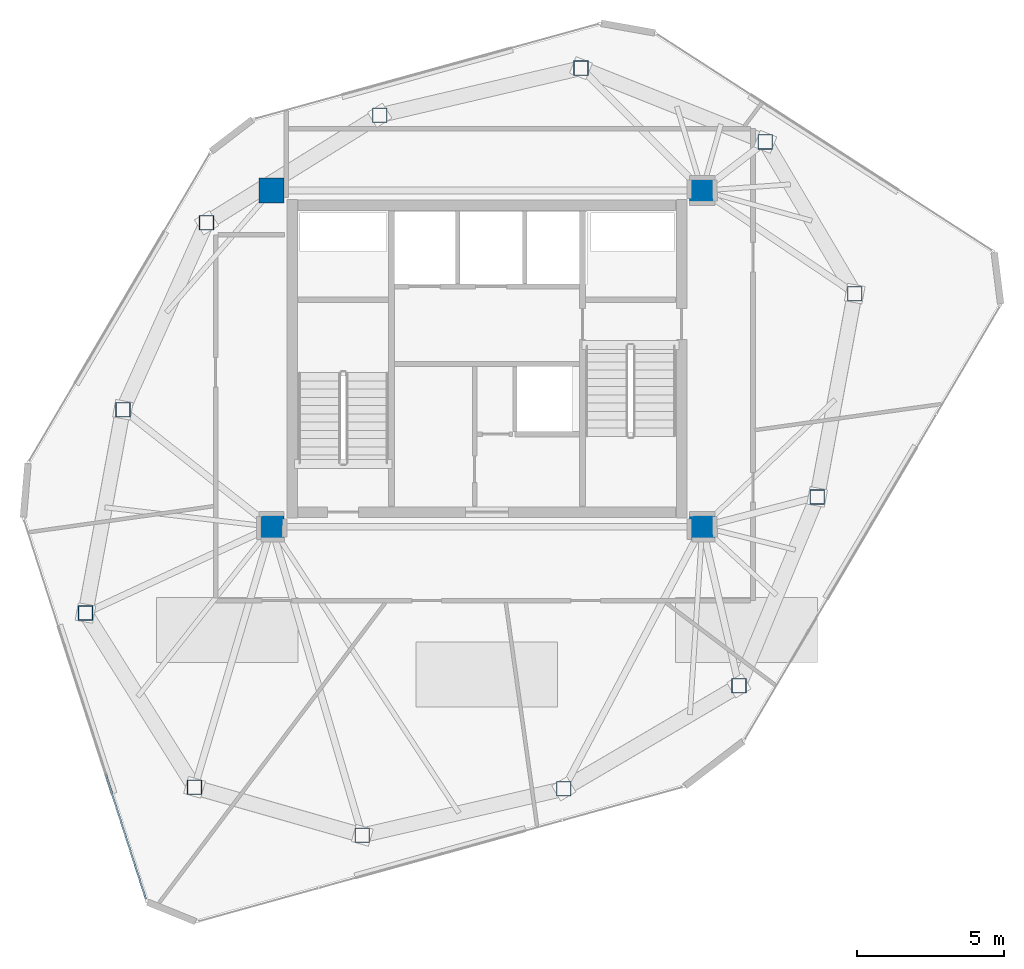
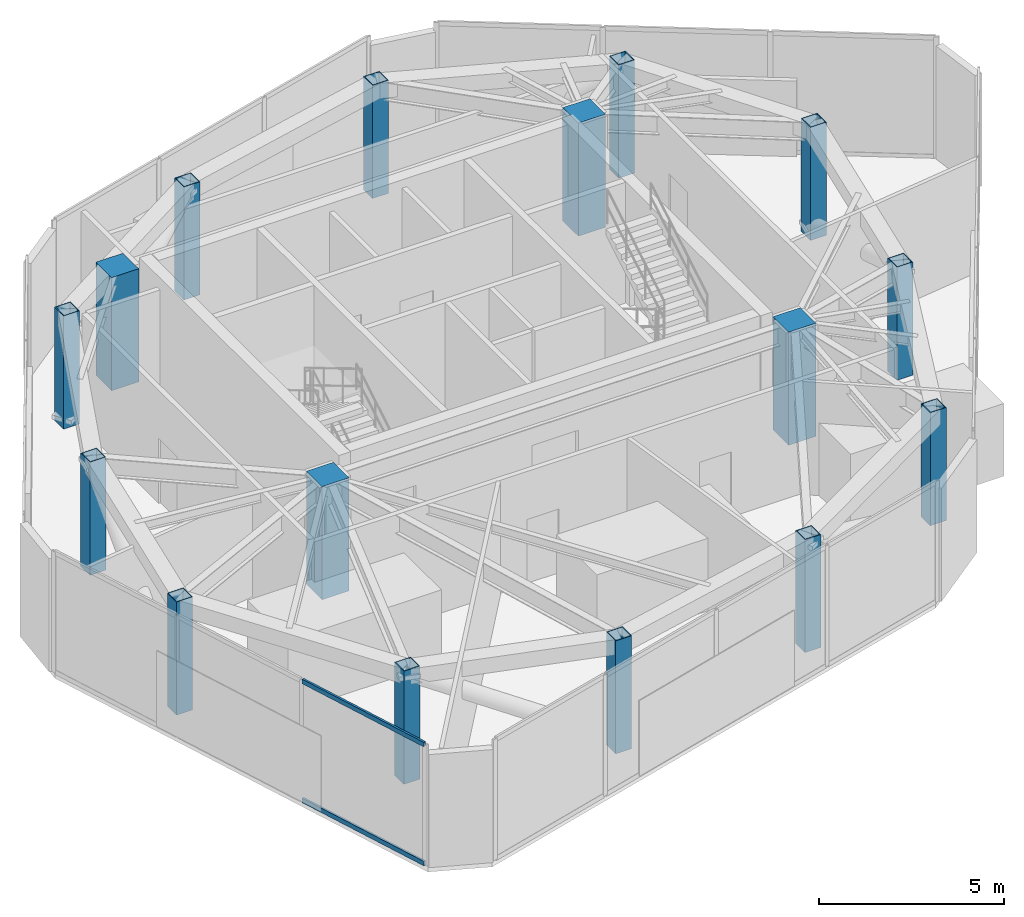
# One storey, part 1 of 19: 16 columns, 2 members, 1 element without a shape of its own.
"""IFC4 building model written with IfcOpenShell, lengths in metres."""

from ifc_helpers import new_model, si_unit, direction, frame, origin, origin_2d, place, context, subcontext, project, spatial, rectangle, hollow_rectangle, extrude, source, transform, mapped, material, layer, layer_set, material_profile, profile_set, type_object, type_shapes, element, aggregate, save


model = new_model("IFC4")

# Units and contexts
model_context = context("Model", 3, precision=1e-05, world=origin(), true_north=direction((0.0, 1.0)))
body_context = subcontext(model_context, "Body", "Model", "MODEL_VIEW")
ifc_project = project(units=[si_unit("LENGTHUNIT", "METRE"), si_unit("AREAUNIT", "SQUARE_METRE"), si_unit("VOLUMEUNIT", "CUBIC_METRE"), si_unit("PLANEANGLEUNIT", "RADIAN"), si_unit("MASSUNIT", "GRAM", prefix="KILO")], contexts=[model_context])

# Site, building, storey
site_placement = place(None, origin())
site = spatial("IfcSite", under=ifc_project, at=site_placement, CompositionType="ELEMENT")
building_placement = place(site_placement, origin())
building = spatial("IfcBuilding", under=site, at=building_placement, Name="Talar Marvaseh", CompositionType="ELEMENT")
storey_placement = place(building_placement, frame((0.0, 0.0, 296.0)))
storey = spatial("IfcBuildingStorey", under=building, at=storey_placement, Name="L79", CompositionType="ELEMENT", Elevation=296.0)

# Columns
ifc_material_1 = material(Name="Steel S460", Category="steel")
ifc_material_profile_1 = material_profile(ifc_material_1, hollow_rectangle(XDim=0.5, YDim=0.5, WallThickness=0.02490234375, at=origin_2d()), Name="BOX500x500x25")
ifc_profile_set_1 = profile_set([ifc_material_profile_1], Name="Steel S460")
column_type_1 = type_object("IfcColumnType", Name="Crown Frame Structural Column BOX500x500x25", PredefinedType="COLUMN", material=ifc_profile_set_1)
for number, where, z_axis, x_axis, name in (
    (1, (12.388916015625, 22.576904296875, 0.0), (0.0, 0.0, 1.0), (1.0, 0.0, 0.0), "L79 Crown Frame Structural Column BOX500x500x25"),
    (2, (13.657958984375, 29.469970703125, 0.0), (0.0, 0.0, 1.0), (1.0, 0.0, 0.0), "L79 Crown Frame Structural Column BOX500x500x25"),
    (3, (16.493896484375, 35.806884765625, 0.0), (0.0, 0.0, 1.0), (1.0, 0.0, 0.0), "L79 Crown Frame Structural Column BOX500x500x25"),
    (4, (22.364990234375, 39.4541015625, 0.0), (0.0, 0.0, 1.0), (1.0, 0.0, 0.0), "L79 Crown Frame Structural Column BOX500x500x25"),
    (5, (29.18798828125, 41.052001953125, 0.0), (0.0, 0.0, 1.0), (1.0, 0.0, 0.0), "L79 Crown Frame Structural Column BOX500x500x25"),
    (6, (35.43798828125, 38.551025390625, 0.0), (0.0, 0.0, 1.0), (1.0, 0.0, 0.0), "L79 Crown Frame Structural Column BOX500x500x25"),
    (7, (38.470947265625, 33.406005859375, 0.0), (0.0, 0.0, 1.0), (1.0, 0.0, 0.0), "L79 Crown Frame Structural Column BOX500x500x25"),
    (8, (37.197021484375, 26.513916015625, 0.0), (0.0, 0.0, 1.0), (1.0, 0.0, 0.0), "L79 Crown Frame Structural Column BOX500x500x25"),
    (9, (34.5439453125, 20.111083984375, 0.0), (0.0, 0.0, 1.0), (1.0, 0.0, 0.0), "L79 Crown Frame Structural Column BOX500x500x25"),
    (10, (28.60498046875, 16.616943359375, 0.0), (0.0, 0.0, 1.0), (1.0, 0.0, 0.0), "L79 Crown Frame Structural Column BOX500x500x25"),
    (11, (21.77587890625, 15.0400390625, 0.0), (0.0, 0.0, 1.0), (1.0, 0.0, 0.0), "L79 Crown Frame Structural Column BOX500x500x25"),
    (12, (16.0869140625, 16.66796875, 0.0), (0.0, 0.0, 1.0), (1.0, 0.0, 0.0), "L79 Crown Frame Structural Column BOX500x500x25"),
):
    element("IfcColumn", number, at=place(storey_placement, frame(where, z_axis=z_axis, x_axis=x_axis)), inside=storey, type_object=column_type_1, Name=name, PredefinedType="COLUMN", context=body_context, shape_type="SweptSolid", body=[
        extrude(hollow_rectangle(XDim=0.5, YDim=0.5, WallThickness=0.02490234375, at=origin_2d()), origin(), (0.0, 0.0, 1.0), 3.739990234375),
    ])
ifc_material_2 = material(Name="Concrete C50/60", Category="concrete")
ifc_material_profile_2 = material_profile(ifc_material_2, rectangle(XDim=0.85009765625, YDim=0.85009765625, at=origin_2d()), Name="RC850x850")
ifc_profile_set_2 = profile_set([ifc_material_profile_2], Name="Concrete C50/60")
column_type_2 = type_object("IfcColumnType", Name="Zone 4 Tube Column RC850x850", PredefinedType="COLUMN", material=ifc_profile_set_2)
for number, where, z_axis, x_axis, name in (
    (13, (18.699951171875, 25.5, 0.0), (0.0, 0.0, 1.0), (1.0, 0.0, 0.0), "L79 Zone 4 Tube Column RC850x850"),
    (14, (33.300048828125, 25.5, 0.0), (0.0, 0.0, 1.0), (1.0, 0.0, 0.0), "L79 Zone 4 Tube Column RC850x850"),
    (15, (33.300048828125, 36.89990234375, 0.0), (0.0, 0.0, 1.0), (1.0, 0.0, 0.0), "L79 Zone 4 Tube Column RC850x850"),
    (16, (18.699951171875, 36.89990234375, 0.0), (0.0, 0.0, 1.0), (1.0, 0.0, 0.0), "L79 Zone 4 Tube Column RC850x850"),
):
    element("IfcColumn", number, at=place(storey_placement, frame(where, z_axis=z_axis, x_axis=x_axis)), inside=storey, type_object=column_type_2, Name=name, PredefinedType="COLUMN", context=body_context, shape_type="SweptSolid", body=[
        extrude(rectangle(XDim=0.85009765625, YDim=0.85009765625, at=origin_2d()), origin(), (0.0, 0.0, 1.0), 3.739990234375),
    ])

# Curtain wall, members
ifc_material_3 = material(Name="Architectural Aluminium", Category="aluminium")
ifc_layer = layer(ifc_material_3, 0.2099609375)
ifc_layer_set = layer_set([ifc_layer], Name="Architectural Aluminium")
curtain_wall_type = type_object("IfcCurtainWallType", Name="Crown Plant Acoustic Spandrel Curtain Wall", PredefinedType="NOTDEFINED", material=ifc_layer_set)
curtain_wall_placement = place(storey_placement, origin())
curtain_wall = element("IfcCurtainWall", 17, at=curtain_wall_placement, inside=storey, type_object=curtain_wall_type, Name="L79 Crown Plant Acoustic Spandrel Curtain Wall", PredefinedType="NOTDEFINED")
ifc_material_profile_3 = material_profile(ifc_material_3, hollow_rectangle(XDim=0.06494140625, YDim=0.14990234375, WallThickness=0.00390625, at=origin_2d()), Name="RHS150x65x4")
ifc_profile_set_3 = profile_set([ifc_material_profile_3], Name="Architectural Aluminium")
member_type = type_object("IfcMemberType", Name="Unitised Curtain Wall Slim Transom RHS150x65x4", PredefinedType="USERDEFINED", material=ifc_profile_set_3)
shared_shape = source(origin(), body_context, "Body", "SweptSolid", [
    extrude(hollow_rectangle(XDim=0.06494140625, YDim=0.14990234375, WallThickness=0.00390625, at=origin_2d()), origin(), (0.0, 0.0, 1.0), 4.447265625),
])
type_shapes(member_type, [shared_shape])
member_1_placement = place(storey_placement, frame((14.44287109375, 12.8720703125, 0.032470703125), z_axis=(-0.306428516779, 0.951893672689, 0.0), x_axis=(-0.951893672689, -0.306428516779, 0.0)))
member_1 = element("IfcMember", 18, at=member_1_placement, type_object=member_type, Name="CW-CRN transom 1.1", ObjectType="TRANSOM", PredefinedType="USERDEFINED", context=body_context, shape_type="MappedRepresentation", body=[
    mapped(shared_shape, transform((0.0, 0.0, 0.0), x_axis=(1.0, 0.0, 0.0), y_axis=(0.0, 1.0, 0.0), z_axis=(0.0, 0.0, 1.0), scale=1.0)),
])
member_2_placement = place(storey_placement, frame((14.44287109375, 12.8720703125, 3.967529296875), z_axis=(-0.306428516779, 0.951893672689, 0.0), x_axis=(-0.951893672689, -0.306428516779, 0.0)))
member_2 = element("IfcMember", 19, at=member_2_placement, type_object=member_type, Name="CW-CRN transom 1.2", ObjectType="TRANSOM", PredefinedType="USERDEFINED", context=body_context, shape_type="MappedRepresentation", body=[
    mapped(shared_shape, transform((0.0, 0.0, 0.0), x_axis=(1.0, 0.0, 0.0), y_axis=(0.0, 1.0, 0.0), z_axis=(0.0, 0.0, 1.0), scale=1.0)),
])
aggregate(curtain_wall, [member_1, member_2])

save(model, "model.ifc")
